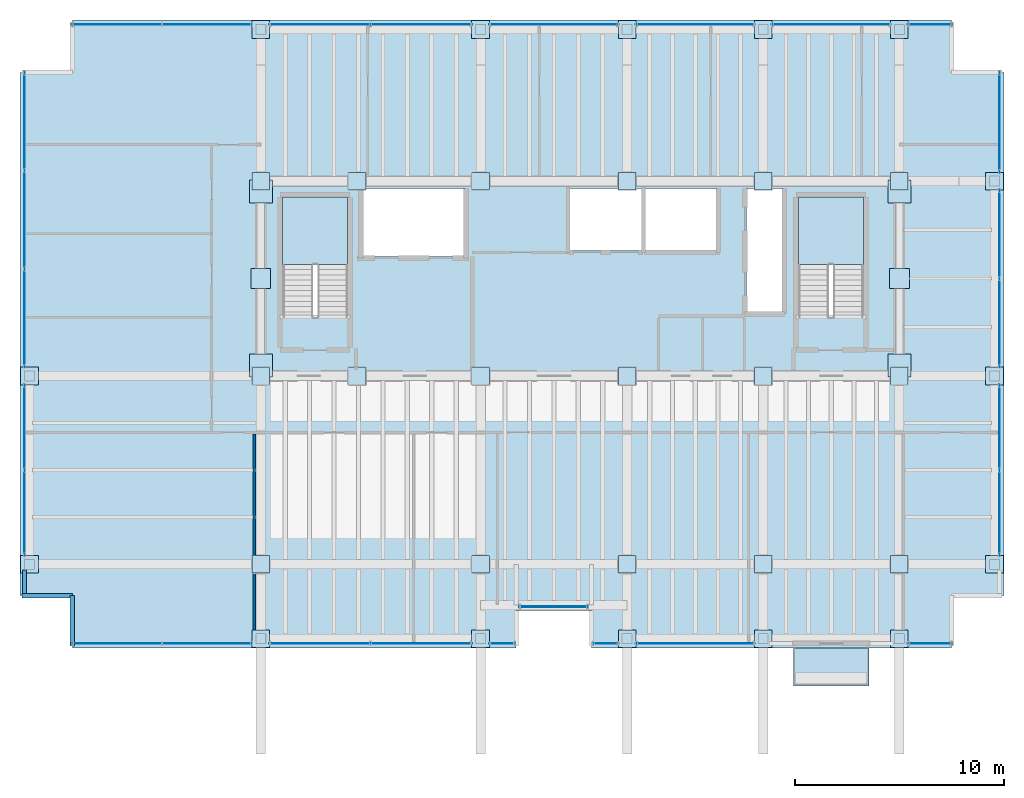
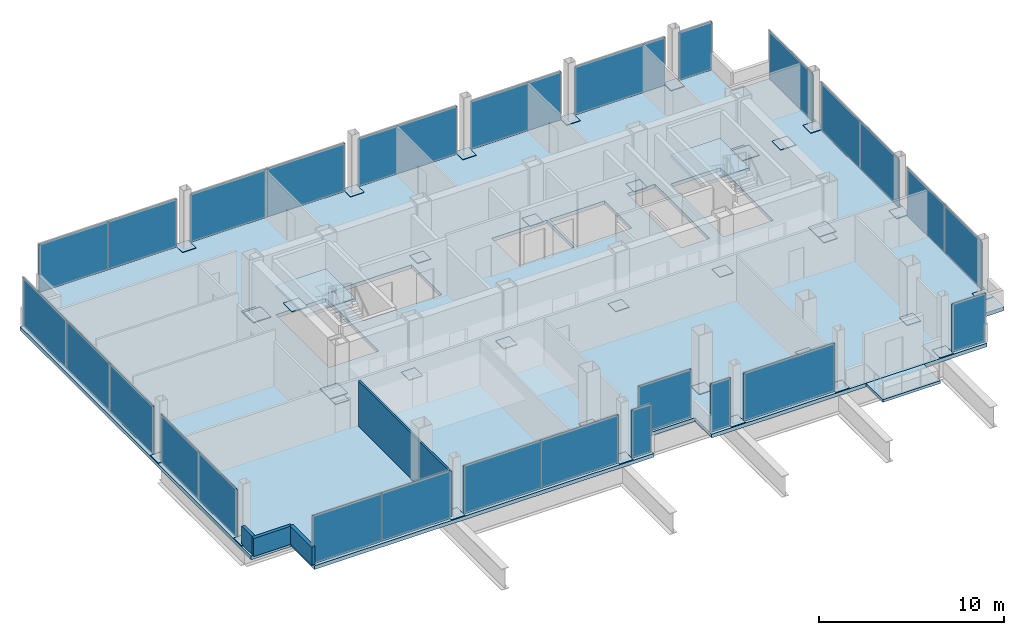
# One storey, part 20 of 24: 65 plates, 4 slabs, 4 walls, 6 openings, 20 elements without a shape of their own.
"""IFC4 building model written with IfcOpenShell, lengths in metres."""

from ifc_helpers import new_model, si_unit, direction, frame, frame_2d, origin, origin_2d, place, context, subcontext, project, spatial, polyline, rectangle, outline, extrude, material, layer, layer_set, type_object, element, aggregate, save


model = new_model("IFC4")

# Units and contexts
model_context = context("Model", 3, precision=1e-05, world=origin(), true_north=direction((0.0, 1.0)))
body_context = subcontext(model_context, "Body", "Model", "MODEL_VIEW")
ifc_project = project(units=[si_unit("LENGTHUNIT", "METRE"), si_unit("AREAUNIT", "SQUARE_METRE"), si_unit("VOLUMEUNIT", "CUBIC_METRE"), si_unit("PLANEANGLEUNIT", "RADIAN"), si_unit("MASSUNIT", "GRAM", prefix="KILO")], contexts=[model_context])

# Site, building, storey
site_placement = place(None, origin())
site = spatial("IfcSite", under=ifc_project, at=site_placement, CompositionType="ELEMENT")
building_placement = place(site_placement, origin())
building = spatial("IfcBuilding", under=site, at=building_placement, Name="Noeulbin Bourse Tower", CompositionType="ELEMENT")
storey_placement = place(building_placement, frame((0.0, 0.0, 142.199951171875)))
storey = spatial("IfcBuildingStorey", under=building, at=storey_placement, Name="L35", CompositionType="ELEMENT", Elevation=142.199951171875)

# Curtain wall, plate
ifc_material_1 = material(Name="Dark Tinted Triple Glazing", Category="glass")
curtain_wall_type = type_object("IfcCurtainWallType", Name="CW-SYS-3", PredefinedType="NOTDEFINED", material=ifc_material_1)
curtain_wall_1_placement = place(storey_placement, origin())
curtain_wall_1 = element("IfcCurtainWall", 1, at=curtain_wall_1_placement, inside=storey, type_object=curtain_wall_type, Name="Unitised Curtain Wall CW-L35-SREC", PredefinedType="NOTDEFINED")
ifc_layer_1 = layer(ifc_material_1, 0.035888671875)
ifc_layer_set_1 = layer_set([ifc_layer_1], Name="Dark Tinted Triple Glazing")
plate_type_1 = type_object("IfcPlateType", Name="CW-SYS-3-PNL", PredefinedType="CURTAIN_PANEL", material=ifc_layer_set_1)
plate_1_placement = place(storey_placement, frame((27.5, 17.97998046875, 0.0), z_axis=(0.0, 0.0, 1.0), x_axis=(1.0, 0.0, 0.0)))
plate_1 = element("IfcPlate", 2, at=plate_1_placement, type_object=plate_type_1, Name="Glazed Curtain Panel CW-L35-SREC-P00", PredefinedType="CURTAIN_PANEL", context=body_context, shape_type="SweptSolid", body=[
    extrude(rectangle(XDim=3.300048828125, YDim=0.035888671875, at=origin_2d()), origin(), (0.0, 0.0, 1.0), 3.179931640625),
])
aggregate(curtain_wall_1, [plate_1])

# Curtain wall, plates
curtain_wall_2_placement = place(storey_placement, origin())
curtain_wall_2 = element("IfcCurtainWall", 3, at=curtain_wall_2_placement, inside=storey, type_object=curtain_wall_type, Name="Unitised Curtain Wall CW-L35-S1-S1", PredefinedType="NOTDEFINED")
plate_2_placement = place(storey_placement, frame((6.632568359375, 16.219970703125, 0.0), z_axis=(0.0, 0.0, 1.0), x_axis=(1.0, 0.0, 0.0)))
plate_2 = element("IfcPlate", 4, at=plate_2_placement, type_object=plate_type_1, Name="Glazed Curtain Panel CW-L35-S1-S1-P00", PredefinedType="CURTAIN_PANEL", context=body_context, shape_type="SweptSolid", body=[
    extrude(rectangle(XDim=4.304931640625, YDim=0.035888671875, at=origin_2d()), origin(), (0.0, 0.0, 1.0), 3.179931640625),
])
plate_3_placement = place(storey_placement, frame((10.9375, 16.219970703125, 0.0), z_axis=(0.0, 0.0, 1.0), x_axis=(1.0, 0.0, 0.0)))
plate_3 = element("IfcPlate", 5, at=plate_3_placement, type_object=plate_type_1, Name="Glazed Curtain Panel CW-L35-S1-S1-P01", PredefinedType="CURTAIN_PANEL", context=body_context, shape_type="SweptSolid", body=[
    extrude(rectangle(XDim=4.304931640625, YDim=0.035888671875, at=origin_2d()), origin(), (0.0, 0.0, 1.0), 3.179931640625),
])
aggregate(curtain_wall_2, [plate_2, plate_3])

curtain_wall_3_placement = place(storey_placement, origin())
curtain_wall_3 = element("IfcCurtainWall", 6, at=curtain_wall_3_placement, inside=storey, type_object=curtain_wall_type, Name="Unitised Curtain Wall CW-L35-S1-S2", PredefinedType="NOTDEFINED")
plate_4_placement = place(storey_placement, frame((16.330078125, 16.219970703125, 0.0), z_axis=(0.0, 0.0, 1.0), x_axis=(1.0, 0.0, 0.0)))
plate_4 = element("IfcPlate", 7, at=plate_4_placement, type_object=plate_type_1, Name="Glazed Curtain Panel CW-L35-S1-S2-P00", PredefinedType="CURTAIN_PANEL", context=body_context, shape_type="SweptSolid", body=[
    extrude(rectangle(XDim=4.840087890625, YDim=0.035888671875, at=origin_2d()), origin(), (0.0, 0.0, 1.0), 3.179931640625),
])
plate_5_placement = place(storey_placement, frame((21.169921875, 16.219970703125, 0.0), z_axis=(0.0, 0.0, 1.0), x_axis=(1.0, 0.0, 0.0)))
plate_5 = element("IfcPlate", 8, at=plate_5_placement, type_object=plate_type_1, Name="Glazed Curtain Panel CW-L35-S1-S2-P01", PredefinedType="CURTAIN_PANEL", context=body_context, shape_type="SweptSolid", body=[
    extrude(rectangle(XDim=4.840087890625, YDim=0.035888671875, at=origin_2d()), origin(), (0.0, 0.0, 1.0), 3.179931640625),
])
aggregate(curtain_wall_3, [plate_4, plate_5])

# Curtain wall, plate
curtain_wall_4_placement = place(storey_placement, origin())
curtain_wall_4 = element("IfcCurtainWall", 9, at=curtain_wall_4_placement, inside=storey, type_object=curtain_wall_type, Name="Unitised Curtain Wall CW-L35-S1-S3", PredefinedType="NOTDEFINED")
plate_6_placement = place(storey_placement, frame((25.030029296875, 16.219970703125, 0.0), z_axis=(0.0, 0.0, 1.0), x_axis=(1.0, 0.0, 0.0)))
plate_6 = element("IfcPlate", 10, at=plate_6_placement, type_object=plate_type_1, Name="Glazed Curtain Panel CW-L35-S1-S3-P00", PredefinedType="CURTAIN_PANEL", context=body_context, shape_type="SweptSolid", body=[
    extrude(rectangle(XDim=1.239990234375, YDim=0.035888671875, at=origin_2d()), origin(), (0.0, 0.0, 1.0), 3.179931640625),
])
aggregate(curtain_wall_4, [plate_6])

curtain_wall_5_placement = place(storey_placement, origin())
curtain_wall_5 = element("IfcCurtainWall", 11, at=curtain_wall_5_placement, inside=storey, type_object=curtain_wall_type, Name="Unitised Curtain Wall CW-L35-S2-S1", PredefinedType="NOTDEFINED")
plate_7_placement = place(storey_placement, frame((29.969970703125, 16.219970703125, 0.0), z_axis=(0.0, 0.0, 1.0), x_axis=(1.0, 0.0, 0.0)))
plate_7 = element("IfcPlate", 12, at=plate_7_placement, type_object=plate_type_1, Name="Glazed Curtain Panel CW-L35-S2-S1-P00", PredefinedType="CURTAIN_PANEL", context=body_context, shape_type="SweptSolid", body=[
    extrude(rectangle(XDim=1.239990234375, YDim=0.035888671875, at=origin_2d()), origin(), (0.0, 0.0, 1.0), 3.179931640625),
])
aggregate(curtain_wall_5, [plate_7])

curtain_wall_6_placement = place(storey_placement, origin())
curtain_wall_6 = element("IfcCurtainWall", 13, at=curtain_wall_6_placement, inside=storey, type_object=curtain_wall_type, Name="Unitised Curtain Wall CW-L35-S2-S2", PredefinedType="NOTDEFINED")
plate_8_placement = place(storey_placement, frame((34.25, 16.219970703125, 0.0), z_axis=(0.0, 0.0, 1.0), x_axis=(1.0, 0.0, 0.0)))
plate_8 = element("IfcPlate", 14, at=plate_8_placement, type_object=plate_type_1, Name="Glazed Curtain Panel CW-L35-S2-S2-P00", PredefinedType="CURTAIN_PANEL", context=body_context, shape_type="SweptSolid", body=[
    extrude(rectangle(XDim=5.679931640625, YDim=0.035888671875, at=origin_2d()), origin(), (0.0, 0.0, 1.0), 3.179931640625),
])
aggregate(curtain_wall_6, [plate_8])

curtain_wall_7_placement = place(storey_placement, origin())
curtain_wall_7 = element("IfcCurtainWall", 15, at=curtain_wall_7_placement, inside=storey, type_object=curtain_wall_type, Name="Unitised Curtain Wall CW-L35-S3", PredefinedType="NOTDEFINED")
plate_9_placement = place(storey_placement, frame((45.465087890625, 16.219970703125, 0.0), z_axis=(0.0, 0.0, 1.0), x_axis=(1.0, 0.0, 0.0)))
plate_9 = element("IfcPlate", 16, at=plate_9_placement, type_object=plate_type_1, Name="Glazed Curtain Panel CW-L35-S3-P00", PredefinedType="CURTAIN_PANEL", context=body_context, shape_type="SweptSolid", body=[
    extrude(rectangle(XDim=2.110107421875, YDim=0.035888671875, at=origin_2d()), origin(), (0.0, 0.0, 1.0), 3.179931640625),
])
aggregate(curtain_wall_7, [plate_9])

# Curtain wall, plates
curtain_wall_8_placement = place(storey_placement, origin())
curtain_wall_8 = element("IfcCurtainWall", 17, at=curtain_wall_8_placement, inside=storey, type_object=curtain_wall_type, Name="Unitised Curtain Wall CW-L35-N-S1", PredefinedType="NOTDEFINED")
plate_10_placement = place(storey_placement, frame((6.632568359375, 45.780029296875, 0.0), z_axis=(0.0, 0.0, 1.0), x_axis=(1.0, 0.0, 0.0)))
plate_10 = element("IfcPlate", 18, at=plate_10_placement, type_object=plate_type_1, Name="Glazed Curtain Panel CW-L35-N-S1-P00", PredefinedType="CURTAIN_PANEL", context=body_context, shape_type="SweptSolid", body=[
    extrude(rectangle(XDim=4.304931640625, YDim=0.035888671875, at=origin_2d()), origin(), (0.0, 0.0, 1.0), 3.179931640625),
])
plate_11_placement = place(storey_placement, frame((10.9375, 45.780029296875, 0.0), z_axis=(0.0, 0.0, 1.0), x_axis=(1.0, 0.0, 0.0)))
plate_11 = element("IfcPlate", 19, at=plate_11_placement, type_object=plate_type_1, Name="Glazed Curtain Panel CW-L35-N-S1-P01", PredefinedType="CURTAIN_PANEL", context=body_context, shape_type="SweptSolid", body=[
    extrude(rectangle(XDim=4.304931640625, YDim=0.035888671875, at=origin_2d()), origin(), (0.0, 0.0, 1.0), 3.179931640625),
])
aggregate(curtain_wall_8, [plate_10, plate_11])

curtain_wall_9_placement = place(storey_placement, origin())
curtain_wall_9 = element("IfcCurtainWall", 20, at=curtain_wall_9_placement, inside=storey, type_object=curtain_wall_type, Name="Unitised Curtain Wall CW-L35-N-S2", PredefinedType="NOTDEFINED")
plate_12_placement = place(storey_placement, frame((16.330078125, 45.780029296875, 0.0), z_axis=(0.0, 0.0, 1.0), x_axis=(1.0, 0.0, 0.0)))
plate_12 = element("IfcPlate", 21, at=plate_12_placement, type_object=plate_type_1, Name="Glazed Curtain Panel CW-L35-N-S2-P00", PredefinedType="CURTAIN_PANEL", context=body_context, shape_type="SweptSolid", body=[
    extrude(rectangle(XDim=4.840087890625, YDim=0.035888671875, at=origin_2d()), origin(), (0.0, 0.0, 1.0), 3.179931640625),
])
plate_13_placement = place(storey_placement, frame((21.169921875, 45.780029296875, 0.0), z_axis=(0.0, 0.0, 1.0), x_axis=(1.0, 0.0, 0.0)))
plate_13 = element("IfcPlate", 22, at=plate_13_placement, type_object=plate_type_1, Name="Glazed Curtain Panel CW-L35-N-S2-P01", PredefinedType="CURTAIN_PANEL", context=body_context, shape_type="SweptSolid", body=[
    extrude(rectangle(XDim=4.840087890625, YDim=0.035888671875, at=origin_2d()), origin(), (0.0, 0.0, 1.0), 3.179931640625),
])
aggregate(curtain_wall_9, [plate_12, plate_13])

# Curtain wall, plate
curtain_wall_10_placement = place(storey_placement, origin())
curtain_wall_10 = element("IfcCurtainWall", 23, at=curtain_wall_10_placement, inside=storey, type_object=curtain_wall_type, Name="Unitised Curtain Wall CW-L35-N-S3", PredefinedType="NOTDEFINED")
plate_14_placement = place(storey_placement, frame((27.5, 45.780029296875, 0.0), z_axis=(0.0, 0.0, 1.0), x_axis=(1.0, 0.0, 0.0)))
plate_14 = element("IfcPlate", 24, at=plate_14_placement, type_object=plate_type_1, Name="Glazed Curtain Panel CW-L35-N-S3-P00", PredefinedType="CURTAIN_PANEL", context=body_context, shape_type="SweptSolid", body=[
    extrude(rectangle(XDim=6.179931640625, YDim=0.035888671875, at=origin_2d()), origin(), (0.0, 0.0, 1.0), 3.179931640625),
])
aggregate(curtain_wall_10, [plate_14])

curtain_wall_11_placement = place(storey_placement, origin())
curtain_wall_11 = element("IfcCurtainWall", 25, at=curtain_wall_11_placement, inside=storey, type_object=curtain_wall_type, Name="Unitised Curtain Wall CW-L35-N-S4", PredefinedType="NOTDEFINED")
plate_15_placement = place(storey_placement, frame((34.25, 45.780029296875, 0.0), z_axis=(0.0, 0.0, 1.0), x_axis=(1.0, 0.0, 0.0)))
plate_15 = element("IfcPlate", 26, at=plate_15_placement, type_object=plate_type_1, Name="Glazed Curtain Panel CW-L35-N-S4-P00", PredefinedType="CURTAIN_PANEL", context=body_context, shape_type="SweptSolid", body=[
    extrude(rectangle(XDim=5.679931640625, YDim=0.035888671875, at=origin_2d()), origin(), (0.0, 0.0, 1.0), 3.179931640625),
])
aggregate(curtain_wall_11, [plate_15])

curtain_wall_12_placement = place(storey_placement, origin())
curtain_wall_12 = element("IfcCurtainWall", 27, at=curtain_wall_12_placement, inside=storey, type_object=curtain_wall_type, Name="Unitised Curtain Wall CW-L35-N-S5", PredefinedType="NOTDEFINED")
plate_16_placement = place(storey_placement, frame((40.75, 45.780029296875, 0.0), z_axis=(0.0, 0.0, 1.0), x_axis=(1.0, 0.0, 0.0)))
plate_16 = element("IfcPlate", 28, at=plate_16_placement, type_object=plate_type_1, Name="Glazed Curtain Panel CW-L35-N-S5-P00", PredefinedType="CURTAIN_PANEL", context=body_context, shape_type="SweptSolid", body=[
    extrude(rectangle(XDim=5.679931640625, YDim=0.035888671875, at=origin_2d()), origin(), (0.0, 0.0, 1.0), 3.179931640625),
])
aggregate(curtain_wall_12, [plate_16])

curtain_wall_13_placement = place(storey_placement, origin())
curtain_wall_13 = element("IfcCurtainWall", 29, at=curtain_wall_13_placement, inside=storey, type_object=curtain_wall_type, Name="Unitised Curtain Wall CW-L35-N-S6", PredefinedType="NOTDEFINED")
plate_17_placement = place(storey_placement, frame((45.465087890625, 45.780029296875, 0.0), z_axis=(0.0, 0.0, 1.0), x_axis=(1.0, 0.0, 0.0)))
plate_17 = element("IfcPlate", 30, at=plate_17_placement, type_object=plate_type_1, Name="Glazed Curtain Panel CW-L35-N-S6-P00", PredefinedType="CURTAIN_PANEL", context=body_context, shape_type="SweptSolid", body=[
    extrude(rectangle(XDim=2.110107421875, YDim=0.035888671875, at=origin_2d()), origin(), (0.0, 0.0, 1.0), 3.179931640625),
])
aggregate(curtain_wall_13, [plate_17])

# Curtain wall, plates
curtain_wall_14_placement = place(storey_placement, origin())
curtain_wall_14 = element("IfcCurtainWall", 31, at=curtain_wall_14_placement, inside=storey, type_object=curtain_wall_type, Name="Unitised Curtain Wall CW-L35-W-S1", PredefinedType="NOTDEFINED")
plate_18_placement = place(storey_placement, frame((2.219970703125, 22.455078125, 0.0), z_axis=(0.0, 0.0, 1.0), x_axis=(0.0, 1.0, 0.0)))
plate_18 = element("IfcPlate", 32, at=plate_18_placement, type_object=plate_type_1, Name="Glazed Curtain Panel CW-L35-W-S1-P00", PredefinedType="CURTAIN_PANEL", context=body_context, shape_type="SweptSolid", body=[
    extrude(rectangle(XDim=4.090087890625, YDim=0.035888671875, at=origin_2d()), origin(), (0.0, 0.0, 1.0), 3.179931640625),
])
plate_19_placement = place(storey_placement, frame((2.219970703125, 26.544921875, 0.0), z_axis=(0.0, 0.0, 1.0), x_axis=(0.0, 1.0, 0.0)))
plate_19 = element("IfcPlate", 33, at=plate_19_placement, type_object=plate_type_1, Name="Glazed Curtain Panel CW-L35-W-S1-P01", PredefinedType="CURTAIN_PANEL", context=body_context, shape_type="SweptSolid", body=[
    extrude(rectangle(XDim=4.090087890625, YDim=0.035888671875, at=origin_2d()), origin(), (0.0, 0.0, 1.0), 3.179931640625),
])
aggregate(curtain_wall_14, [plate_18, plate_19])

curtain_wall_15_placement = place(storey_placement, origin())
curtain_wall_15 = element("IfcCurtainWall", 34, at=curtain_wall_15_placement, inside=storey, type_object=curtain_wall_type, Name="Unitised Curtain Wall CW-L35-W-S2", PredefinedType="NOTDEFINED")
plate_20_placement = place(storey_placement, frame((2.219970703125, 31.76171875, 0.0), z_axis=(0.0, 0.0, 1.0), x_axis=(0.0, 1.0, 0.0)))
plate_20 = element("IfcPlate", 35, at=plate_20_placement, type_object=plate_type_1, Name="Glazed Curtain Panel CW-L35-W-S2-P00", PredefinedType="CURTAIN_PANEL", context=body_context, shape_type="SweptSolid", body=[
    extrude(rectangle(XDim=4.703369140625, YDim=0.035888671875, at=origin_2d()), origin(), (0.0, 0.0, 1.0), 3.179931640625),
])
plate_21_placement = place(storey_placement, frame((2.219970703125, 36.465087890625, 0.0), z_axis=(0.0, 0.0, 1.0), x_axis=(0.0, 1.0, 0.0)))
plate_21 = element("IfcPlate", 36, at=plate_21_placement, type_object=plate_type_1, Name="Glazed Curtain Panel CW-L35-W-S2-P01", PredefinedType="CURTAIN_PANEL", context=body_context, shape_type="SweptSolid", body=[
    extrude(rectangle(XDim=4.703369140625, YDim=0.035888671875, at=origin_2d()), origin(), (0.0, 0.0, 1.0), 3.179931640625),
])
plate_22_placement = place(storey_placement, frame((2.219970703125, 41.168212890625, 0.0), z_axis=(0.0, 0.0, 1.0), x_axis=(0.0, 1.0, 0.0)))
plate_22 = element("IfcPlate", 37, at=plate_22_placement, type_object=plate_type_1, Name="Glazed Curtain Panel CW-L35-W-S2-P02", PredefinedType="CURTAIN_PANEL", context=body_context, shape_type="SweptSolid", body=[
    extrude(rectangle(XDim=4.703369140625, YDim=0.035888671875, at=origin_2d()), origin(), (0.0, 0.0, 1.0), 3.179931640625),
])
aggregate(curtain_wall_15, [plate_20, plate_21, plate_22])

curtain_wall_16_placement = place(storey_placement, origin())
curtain_wall_16 = element("IfcCurtainWall", 38, at=curtain_wall_16_placement, inside=storey, type_object=curtain_wall_type, Name="Unitised Curtain Wall CW-L35-E-S1", PredefinedType="NOTDEFINED")
plate_23_placement = place(storey_placement, frame((48.780029296875, 22.455078125, 0.0), z_axis=(0.0, 0.0, 1.0), x_axis=(0.0, 1.0, 0.0)))
plate_23 = element("IfcPlate", 39, at=plate_23_placement, type_object=plate_type_1, Name="Glazed Curtain Panel CW-L35-E-S1-P00", PredefinedType="CURTAIN_PANEL", context=body_context, shape_type="SweptSolid", body=[
    extrude(rectangle(XDim=4.090087890625, YDim=0.035888671875, at=origin_2d()), origin(), (0.0, 0.0, 1.0), 3.179931640625),
])
plate_24_placement = place(storey_placement, frame((48.780029296875, 26.544921875, 0.0), z_axis=(0.0, 0.0, 1.0), x_axis=(0.0, 1.0, 0.0)))
plate_24 = element("IfcPlate", 40, at=plate_24_placement, type_object=plate_type_1, Name="Glazed Curtain Panel CW-L35-E-S1-P01", PredefinedType="CURTAIN_PANEL", context=body_context, shape_type="SweptSolid", body=[
    extrude(rectangle(XDim=4.090087890625, YDim=0.035888671875, at=origin_2d()), origin(), (0.0, 0.0, 1.0), 3.179931640625),
])
aggregate(curtain_wall_16, [plate_23, plate_24])

curtain_wall_17_placement = place(storey_placement, origin())
curtain_wall_17 = element("IfcCurtainWall", 41, at=curtain_wall_17_placement, inside=storey, type_object=curtain_wall_type, Name="Unitised Curtain Wall CW-L35-E-S2", PredefinedType="NOTDEFINED")
plate_25_placement = place(storey_placement, frame((48.780029296875, 31.530029296875, 0.0), z_axis=(0.0, 0.0, 1.0), x_axis=(0.0, 1.0, 0.0)))
plate_25 = element("IfcPlate", 42, at=plate_25_placement, type_object=plate_type_1, Name="Glazed Curtain Panel CW-L35-E-S2-P00", PredefinedType="CURTAIN_PANEL", context=body_context, shape_type="SweptSolid", body=[
    extrude(rectangle(XDim=4.239990234375, YDim=0.035888671875, at=origin_2d()), origin(), (0.0, 0.0, 1.0), 3.179931640625),
])
plate_26_placement = place(storey_placement, frame((48.780029296875, 35.77001953125, 0.0), z_axis=(0.0, 0.0, 1.0), x_axis=(0.0, 1.0, 0.0)))
plate_26 = element("IfcPlate", 43, at=plate_26_placement, type_object=plate_type_1, Name="Glazed Curtain Panel CW-L35-E-S2-P01", PredefinedType="CURTAIN_PANEL", context=body_context, shape_type="SweptSolid", body=[
    extrude(rectangle(XDim=4.239990234375, YDim=0.035888671875, at=origin_2d()), origin(), (0.0, 0.0, 1.0), 3.179931640625),
])
aggregate(curtain_wall_17, [plate_25, plate_26])

# Curtain wall, plate
curtain_wall_18_placement = place(storey_placement, origin())
curtain_wall_18 = element("IfcCurtainWall", 44, at=curtain_wall_18_placement, inside=storey, type_object=curtain_wall_type, Name="Unitised Curtain Wall CW-L35-E-S3", PredefinedType="NOTDEFINED")
plate_27_placement = place(storey_placement, frame((48.780029296875, 41.114990234375, 0.0), z_axis=(0.0, 0.0, 1.0), x_axis=(0.0, 1.0, 0.0)))
plate_27 = element("IfcPlate", 45, at=plate_27_placement, type_object=plate_type_1, Name="Glazed Curtain Panel CW-L35-E-S3-P00", PredefinedType="CURTAIN_PANEL", context=body_context, shape_type="SweptSolid", body=[
    extrude(rectangle(XDim=4.81005859375, YDim=0.035888671875, at=origin_2d()), origin(), (0.0, 0.0, 1.0), 3.179931640625),
])
aggregate(curtain_wall_18, [plate_27])

# Plates
ifc_material_2 = material(Name="Steel S355", Category="steel")
ifc_layer_2 = layer(ifc_material_2, 0.030029296875)
ifc_layer_set_2 = layer_set([ifc_layer_2], Name="Steel S355")
plate_type_2 = type_object("IfcPlateType", Name="PLT-BN1", PredefinedType="USERDEFINED", material=ifc_layer_set_2)
for number, where, z_axis, x_axis, name in (
    (46, (13.5, 29.0, 0.0048828125), (0.0, 0.0, 1.0), (1.0, 0.0, 0.0), "Mega-Column Splice Plate BN1-L35-01"),
    (47, (13.5, 38.300048828125, 0.0048828125), (0.0, 0.0, 1.0), (1.0, 0.0, 0.0), "Mega-Column Splice Plate BN1-L35-02"),
    (48, (18.10009765625, 29.0, 0.0048828125), (0.0, 0.0, 1.0), (1.0, 0.0, 0.0), "Mega-Column Splice Plate BN1-L35-03"),
    (49, (18.10009765625, 38.300048828125, 0.0048828125), (0.0, 0.0, 1.0), (1.0, 0.0, 0.0), "Mega-Column Splice Plate BN1-L35-04"),
    (50, (24.0, 29.0, 0.0048828125), (0.0, 0.0, 1.0), (1.0, 0.0, 0.0), "Mega-Column Splice Plate BN1-L35-05"),
    (51, (24.0, 38.300048828125, 0.0048828125), (0.0, 0.0, 1.0), (1.0, 0.0, 0.0), "Mega-Column Splice Plate BN1-L35-06"),
    (52, (31.0, 29.0, 0.0048828125), (0.0, 0.0, 1.0), (1.0, 0.0, 0.0), "Mega-Column Splice Plate BN1-L35-07"),
    (53, (31.0, 38.300048828125, 0.0048828125), (0.0, 0.0, 1.0), (1.0, 0.0, 0.0), "Mega-Column Splice Plate BN1-L35-08"),
    (54, (37.5, 29.0, 0.0048828125), (0.0, 0.0, 1.0), (1.0, 0.0, 0.0), "Mega-Column Splice Plate BN1-L35-09"),
    (55, (37.5, 38.300048828125, 0.0048828125), (0.0, 0.0, 1.0), (1.0, 0.0, 0.0), "Mega-Column Splice Plate BN1-L35-10"),
    (56, (44.0, 29.0, 0.0048828125), (0.0, 0.0, 1.0), (1.0, 0.0, 0.0), "Mega-Column Splice Plate BN1-L35-11"),
    (57, (44.0, 38.300048828125, 0.0048828125), (0.0, 0.0, 1.0), (1.0, 0.0, 0.0), "Mega-Column Splice Plate BN1-L35-12"),
    (58, (13.5, 20.0, 0.0048828125), (0.0, 0.0, 1.0), (1.0, 0.0, 0.0), "Mega-Column Splice Plate BN1-L35-13"),
    (59, (24.0, 20.0, 0.0048828125), (0.0, 0.0, 1.0), (1.0, 0.0, 0.0), "Mega-Column Splice Plate BN1-L35-14"),
    (60, (31.0, 20.0, 0.0048828125), (0.0, 0.0, 1.0), (1.0, 0.0, 0.0), "Mega-Column Splice Plate BN1-L35-15"),
    (61, (37.5, 20.0, 0.0048828125), (0.0, 0.0, 1.0), (1.0, 0.0, 0.0), "Mega-Column Splice Plate BN1-L35-16"),
    (62, (44.0, 20.0, 0.0048828125), (0.0, 0.0, 1.0), (1.0, 0.0, 0.0), "Mega-Column Splice Plate BN1-L35-17"),
    (63, (2.449951171875, 20.0, 0.0048828125), (0.0, 0.0, 1.0), (1.0, 0.0, 0.0), "Perimeter Column Splice Plate BN1-L35-01"),
    (64, (2.449951171875, 29.0, 0.0048828125), (0.0, 0.0, 1.0), (1.0, 0.0, 0.0), "Perimeter Column Splice Plate BN1-L35-02"),
    (65, (13.5, 16.449951171875, 0.0048828125), (0.0, 0.0, 1.0), (1.0, 0.0, 0.0), "Perimeter Column Splice Plate BN1-L35-03"),
    (66, (13.5, 45.550048828125, 0.0048828125), (0.0, 0.0, 1.0), (1.0, 0.0, 0.0), "Perimeter Column Splice Plate BN1-L35-04"),
    (67, (24.0, 16.449951171875, 0.0048828125), (0.0, 0.0, 1.0), (1.0, 0.0, 0.0), "Perimeter Column Splice Plate BN1-L35-05"),
    (68, (24.0, 45.550048828125, 0.0048828125), (0.0, 0.0, 1.0), (1.0, 0.0, 0.0), "Perimeter Column Splice Plate BN1-L35-06"),
    (69, (31.0, 16.449951171875, 0.0048828125), (0.0, 0.0, 1.0), (1.0, 0.0, 0.0), "Perimeter Column Splice Plate BN1-L35-07"),
    (70, (31.0, 45.550048828125, 0.0048828125), (0.0, 0.0, 1.0), (1.0, 0.0, 0.0), "Perimeter Column Splice Plate BN1-L35-08"),
    (71, (37.5, 16.449951171875, 0.0048828125), (0.0, 0.0, 1.0), (1.0, 0.0, 0.0), "Perimeter Column Splice Plate BN1-L35-09"),
    (72, (37.5, 45.550048828125, 0.0048828125), (0.0, 0.0, 1.0), (1.0, 0.0, 0.0), "Perimeter Column Splice Plate BN1-L35-10"),
    (73, (44.0, 16.449951171875, 0.0048828125), (0.0, 0.0, 1.0), (1.0, 0.0, 0.0), "Perimeter Column Splice Plate BN1-L35-11"),
    (74, (44.0, 45.550048828125, 0.0048828125), (0.0, 0.0, 1.0), (1.0, 0.0, 0.0), "Perimeter Column Splice Plate BN1-L35-12"),
    (75, (48.550048828125, 20.0, 0.0048828125), (0.0, 0.0, 1.0), (1.0, 0.0, 0.0), "Perimeter Column Splice Plate BN1-L35-13"),
    (76, (48.550048828125, 29.0, 0.0048828125), (0.0, 0.0, 1.0), (1.0, 0.0, 0.0), "Perimeter Column Splice Plate BN1-L35-14"),
    (77, (48.550048828125, 38.300048828125, 0.0048828125), (0.0, 0.0, 1.0), (1.0, 0.0, 0.0), "Perimeter Column Splice Plate BN1-L35-15"),
):
    element("IfcPlate", number, at=place(storey_placement, frame(where, z_axis=z_axis, x_axis=x_axis)), inside=storey, type_object=plate_type_2, Name=name, ObjectType="SPLICE PLATE", PredefinedType="USERDEFINED", context=body_context, shape_type="SweptSolid", body=[
        extrude(rectangle(XDim=0.85009765625, YDim=0.85009765625, at=origin_2d()), origin(), (0.0, 0.0, 1.0), 0.030029296875),
    ])
ifc_material_3 = material(Name="Steel S460", Category="steel")
ifc_layer_3 = layer(ifc_material_3, 0.035888671875)
ifc_layer_set_3 = layer_set([ifc_layer_3], Name="Steel S460")
plate_type_3 = type_object("IfcPlateType", Name="PLT-KN2", PredefinedType="USERDEFINED", material=ifc_layer_set_3)
for number, where, z_axis, x_axis, name in (
    (78, (13.5, 29.5, 0.18212890625), (0.0, 0.0, 1.0), (1.0, 0.0, 0.0), "Core Flank Brace South Gusset Plate KN2-L35-WA"),
    (79, (13.5, 37.800048828125, 0.18212890625), (0.0, 0.0, 1.0), (1.0, 0.0, 0.0), "Core Flank Brace North Gusset Plate KN2-L35-WB"),
    (80, (44.0, 29.5, 0.18212890625), (0.0, 0.0, 1.0), (1.0, 0.0, 0.0), "Core Flank Brace South Gusset Plate KN2-L35-EA"),
    (81, (44.0, 37.800048828125, 0.18212890625), (0.0, 0.0, 1.0), (1.0, 0.0, 0.0), "Core Flank Brace North Gusset Plate KN2-L35-EB"),
):
    element("IfcPlate", number, at=place(storey_placement, frame(where, z_axis=z_axis, x_axis=x_axis)), inside=storey, type_object=plate_type_3, Name=name, ObjectType="GUSSET PLATE", PredefinedType="USERDEFINED", context=body_context, shape_type="SweptSolid", body=[
        extrude(rectangle(XDim=1.10009765625, YDim=1.10009765625, at=origin_2d()), origin(), (0.0, 0.0, 1.0), 0.035888671875),
    ])
ifc_layer_4 = layer(ifc_material_2, 0.031982421875)
ifc_layer_set_4 = layer_set([ifc_layer_4], Name="Steel S355")
plate_type_4 = type_object("IfcPlateType", Name="PLT-KN3", PredefinedType="USERDEFINED", material=ifc_layer_set_4)
for number, where, z_axis, x_axis, name in (
    (82, (13.5, 33.64990234375, 3.35400390625), (0.0, 0.0, 1.0), (1.0, 0.0, 0.0), "Core Flank Brace Apex End Plate KN3-L35-W"),
    (83, (44.0, 33.64990234375, 3.35400390625), (0.0, 0.0, 1.0), (1.0, 0.0, 0.0), "Core Flank Brace Apex End Plate KN3-L35-E"),
):
    element("IfcPlate", number, at=place(storey_placement, frame(where, z_axis=z_axis, x_axis=x_axis)), inside=storey, type_object=plate_type_4, Name=name, ObjectType="END PLATE", PredefinedType="USERDEFINED", context=body_context, shape_type="SweptSolid", body=[
        extrude(rectangle(XDim=0.949951171875, YDim=0.949951171875, at=origin_2d()), origin(), (0.0, 0.0, 1.0), 0.031982421875),
    ])

# Stair, slab
ifc_material_4 = material(Name="Concrete C40/50", Category="concrete")
stair_type = type_object("IfcStairType", Name="STR-CORE-1560", PredefinedType="HALF_TURN_STAIR", material=ifc_material_4)
stair_1_placement = place(storey_placement, origin())
stair_1 = element("IfcStair", 84, at=stair_1_placement, inside=storey, type_object=stair_type, Name="L35 ST-1", PredefinedType="HALF_TURN_STAIR")
ifc_layer_5 = layer(ifc_material_4, 0.199951171875)
ifc_layer_set_5 = layer_set([ifc_layer_5], Name="Concrete C40/50")
slab_type_1 = type_object("IfcSlabType", Name="SLB-LND-200", PredefinedType="LANDING", material=ifc_layer_set_5)
slab_1_placement = place(storey_placement, frame((0.0, 0.0, 1.75)))
slab_1 = element("IfcSlab", 85, at=slab_1_placement, type_object=slab_type_1, Name="ST-1 landing 1", PredefinedType="LANDING", context=body_context, shape_type="SweptSolid", body=[
    extrude(outline(polyline([(17.64990234375, 34.330078125), (17.64990234375, 37.5439453125), (14.550048828125, 37.5439453125), (14.550048828125, 34.330078125), (17.64990234375, 34.330078125)])), origin(), (0.0, 0.0, 1.0), 0.199951171875),
])
aggregate(stair_1, [slab_1])

stair_2_placement = place(storey_placement, origin())
stair_2 = element("IfcStair", 86, at=stair_2_placement, inside=storey, type_object=stair_type, Name="L35 ST-2", PredefinedType="HALF_TURN_STAIR")
slab_2_placement = place(storey_placement, frame((0.0, 0.0, 1.75)))
slab_2 = element("IfcSlab", 87, at=slab_2_placement, type_object=slab_type_1, Name="ST-2 landing 1", PredefinedType="LANDING", context=body_context, shape_type="SweptSolid", body=[
    extrude(outline(polyline([(42.280029296875, 34.330078125), (42.280029296875, 37.5439453125), (39.179931640625, 37.5439453125), (39.179931640625, 34.330078125), (42.280029296875, 34.330078125)])), origin(), (0.0, 0.0, 1.0), 0.199951171875),
])
aggregate(stair_2, [slab_2])

# Slab, openings
ifc_layer_6 = layer(ifc_material_4, 0.239990234375)
ifc_layer_set_6 = layer_set([ifc_layer_6], Name="Concrete C40/50")
slab_type_2 = type_object("IfcSlabType", Name="SLB-TRF-240", PredefinedType="FLOOR", material=ifc_layer_set_6)
slab_3_placement = place(storey_placement, frame((0.0, 0.0, -0.239990234375)))
slab_3 = element("IfcSlab", 88, at=slab_3_placement, inside=storey, type_object=slab_type_2, Name="Tower Structural Floor Slab L35", PredefinedType="FLOOR", context=body_context, shape_type="SweptSolid", body=[
    extrude(outline(polyline([(4.5, 16.0), (25.699951171875, 16.0), (25.699951171875, 17.800048828125), (29.300048828125, 17.800048828125), (29.300048828125, 16.0), (46.5, 16.0), (46.5, 18.5), (49.0, 18.5), (49.0, 43.5), (46.5, 43.5), (46.5, 46.0), (4.5, 46.0), (4.5, 43.5), (2.0, 43.5), (2.0, 18.5), (4.5, 18.5), (4.5, 16.0)]), holes=[polyline([(17.64990234375, 31.81005859375), (17.64990234375, 37.5439453125), (14.550048828125, 37.5439453125), (14.550048828125, 31.81005859375), (17.64990234375, 31.81005859375)]), polyline([(42.280029296875, 31.81005859375), (42.280029296875, 37.5439453125), (39.179931640625, 37.5439453125), (39.179931640625, 31.81005859375), (42.280029296875, 31.81005859375)]), polyline([(18.35009765625, 34.699951171875), (23.25, 34.699951171875), (23.25, 37.949951171875), (18.35009765625, 37.949951171875), (18.35009765625, 34.699951171875)]), polyline([(36.699951171875, 32.050048828125), (38.449951171875, 32.050048828125), (38.449951171875, 37.949951171875), (36.699951171875, 37.949951171875), (36.699951171875, 32.050048828125)]), polyline([(28.25, 35.0), (31.699951171875, 35.0), (31.699951171875, 37.949951171875), (28.25, 37.949951171875), (28.25, 35.0)]), polyline([(31.85009765625, 35.0), (35.300048828125, 35.0), (35.300048828125, 37.949951171875), (31.85009765625, 37.949951171875), (31.85009765625, 35.0)])]), origin(), (0.0, 0.0, 1.0), 0.239990234375),
])
opening_1_placement = place(slab_3_placement, frame((0.0, 0.0, -0.010009765625)))
element("IfcOpeningElement", 89, at=opening_1_placement, cuts=slab_3, Name="Slab Shaft Opening SLB-L35-TWR-1", PredefinedType="OPENING", context=body_context, shape_type="SweptSolid", body=[
    extrude(outline(polyline([(17.64990234375, 31.81005859375), (17.64990234375, 37.5439453125), (14.550048828125, 37.5439453125), (14.550048828125, 31.81005859375), (17.64990234375, 31.81005859375)])), origin(), (0.0, 0.0, 1.0), 0.260009765625),
])
opening_2_placement = place(slab_3_placement, frame((0.0, 0.0, -0.010009765625)))
element("IfcOpeningElement", 90, at=opening_2_placement, cuts=slab_3, Name="Slab Shaft Opening SLB-L35-TWR-2", PredefinedType="OPENING", context=body_context, shape_type="SweptSolid", body=[
    extrude(outline(polyline([(42.280029296875, 31.81005859375), (42.280029296875, 37.5439453125), (39.179931640625, 37.5439453125), (39.179931640625, 31.81005859375), (42.280029296875, 31.81005859375)])), origin(), (0.0, 0.0, 1.0), 0.260009765625),
])
opening_3_placement = place(slab_3_placement, frame((0.0, 0.0, -0.010009765625)))
element("IfcOpeningElement", 91, at=opening_3_placement, cuts=slab_3, Name="Slab Shaft Opening SLB-L35-TWR-3", PredefinedType="OPENING", context=body_context, shape_type="SweptSolid", body=[
    extrude(outline(polyline([(18.35009765625, 34.699951171875), (23.25, 34.699951171875), (23.25, 37.949951171875), (18.35009765625, 37.949951171875), (18.35009765625, 34.699951171875)])), origin(), (0.0, 0.0, 1.0), 0.260009765625),
])
opening_4_placement = place(slab_3_placement, frame((0.0, 0.0, -0.010009765625)))
element("IfcOpeningElement", 92, at=opening_4_placement, cuts=slab_3, Name="Slab Shaft Opening SLB-L35-TWR-4", PredefinedType="OPENING", context=body_context, shape_type="SweptSolid", body=[
    extrude(outline(polyline([(36.699951171875, 32.050048828125), (38.449951171875, 32.050048828125), (38.449951171875, 37.949951171875), (36.699951171875, 37.949951171875), (36.699951171875, 32.050048828125)])), origin(), (0.0, 0.0, 1.0), 0.260009765625),
])
opening_5_placement = place(slab_3_placement, frame((0.0, 0.0, -0.010009765625)))
element("IfcOpeningElement", 93, at=opening_5_placement, cuts=slab_3, Name="Slab Shaft Opening SLB-L35-TWR-5", PredefinedType="OPENING", context=body_context, shape_type="SweptSolid", body=[
    extrude(outline(polyline([(28.25, 35.0), (31.699951171875, 35.0), (31.699951171875, 37.949951171875), (28.25, 37.949951171875), (28.25, 35.0)])), origin(), (0.0, 0.0, 1.0), 0.260009765625),
])
opening_6_placement = place(slab_3_placement, frame((0.0, 0.0, -0.010009765625)))
element("IfcOpeningElement", 94, at=opening_6_placement, cuts=slab_3, Name="Slab Shaft Opening SLB-L35-TWR-6", PredefinedType="OPENING", context=body_context, shape_type="SweptSolid", body=[
    extrude(outline(polyline([(31.85009765625, 35.0), (35.300048828125, 35.0), (35.300048828125, 37.949951171875), (31.85009765625, 37.949951171875), (31.85009765625, 35.0)])), origin(), (0.0, 0.0, 1.0), 0.260009765625),
])

# Slab
ifc_layer_7 = layer(ifc_material_4, 0.179931640625)
ifc_layer_set_7 = layer_set([ifc_layer_7], Name="Concrete C40/50")
slab_type_3 = type_object("IfcSlabType", Name="SLB-TYP-180", PredefinedType="FLOOR", material=ifc_layer_set_7)
slab_4_placement = place(storey_placement, frame((0.0, 0.0, -0.179931640625)))
element("IfcSlab", 95, at=slab_4_placement, inside=storey, type_object=slab_type_3, Name="Cantilevered Tree-Balcony Slab L35", PredefinedType="FLOOR", context=body_context, shape_type="SweptSolid", body=[
    extrude(outline(polyline([(38.949951171875, 14.199951171875), (42.550048828125, 14.199951171875), (42.550048828125, 16.0), (38.949951171875, 16.0), (38.949951171875, 14.199951171875)])), origin(), (0.0, 0.0, 1.0), 0.179931640625),
])

# Walls
ifc_layer_8 = layer(ifc_material_4, 0.199951171875)
ifc_layer_set_8 = layer_set([ifc_layer_8], Name="Concrete C40/50")
wall_type_1 = type_object("IfcWallType", Name="WAL-PAR-200", PredefinedType="PARAPET", material=ifc_layer_set_8)
wall_1_placement = place(storey_placement, frame((2.219970703125, 18.60009765625, 0.0), z_axis=(0.0, 0.0, 1.0), x_axis=(0.0, 1.0, 0.0)))
element("IfcWall", 96, at=wall_1_placement, inside=storey, type_object=wall_type_1, Name="Perimeter Pier Spandrel Parapet L35-W1", PredefinedType="PARAPET", context=body_context, shape_type="SweptSolid", body=[
    extrude(rectangle(XDim=1.1298828125, YDim=0.199951171875, at=frame_2d((0.56494140625, 0.0))), origin(), (0.0, 0.0, 1.0), 1.199951171875),
])
for number, where, z_axis, x_axis, name in (
    (97, (2.10009765625, 18.5, 0.0), (0.0, 0.0, 1.0), (1.0, 0.0, 0.0), "Corner Notch Parapet L35-SW1"),
    (98, (4.5, 18.5, 0.0), (0.0, 0.0, 1.0), (0.0, -1.0, 0.0), "Corner Notch Parapet L35-SW2"),
):
    element("IfcWall", number, at=place(storey_placement, frame(where, z_axis=z_axis, x_axis=x_axis)), inside=storey, type_object=wall_type_1, Name=name, PredefinedType="PARAPET", context=body_context, shape_type="SweptSolid", body=[
        extrude(rectangle(XDim=2.39990234375, YDim=0.199951171875, at=frame_2d((1.199951171875, 0.0))), origin(), (0.0, 0.0, 1.0), 1.199951171875),
    ])
ifc_material_5 = material(Name="Steel Stud Gypsum Partition", Category="steel")
ifc_layer_9 = layer(ifc_material_5, 0.1201171875)
ifc_layer_set_9 = layer_set([ifc_layer_9], Name="Steel Stud Gypsum Partition")
wall_type_2 = type_object("IfcWallType", Name="WAL-PRT-120", PredefinedType="PARTITIONING", material=ifc_layer_set_9)
wall_2_placement = place(storey_placement, frame((13.199951171875, 16.31005859375, 0.0), z_axis=(0.0, 0.0, 1.0), x_axis=(0.0, 1.0, 0.0)))
element("IfcWall", 99, at=wall_2_placement, inside=storey, type_object=wall_type_2, Name="Interior Partition Wall L35-16", PredefinedType="PARTITIONING", context=body_context, shape_type="SweptSolid", body=[
    extrude(rectangle(XDim=9.905029296875, YDim=0.1201171875, at=frame_2d((4.95263671875, 0.0))), origin(), (0.0, 0.0, 1.0), 3.0),
])

save(model, "model.ifc")
